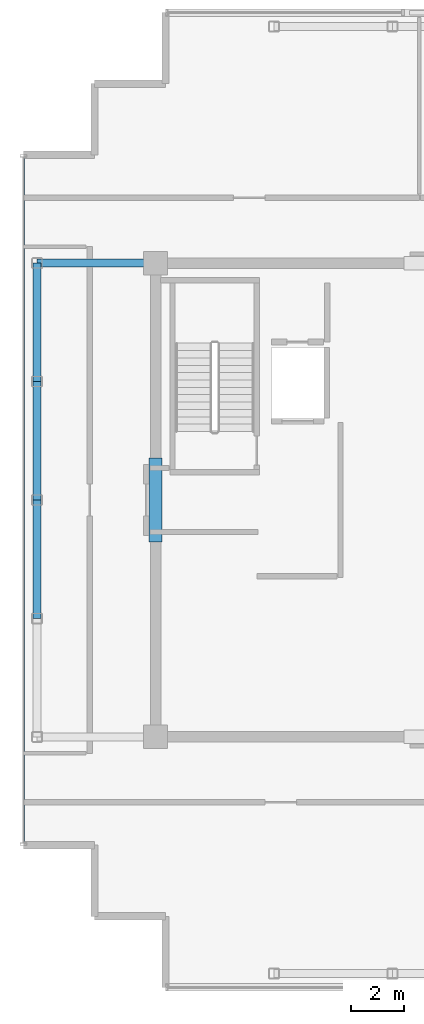
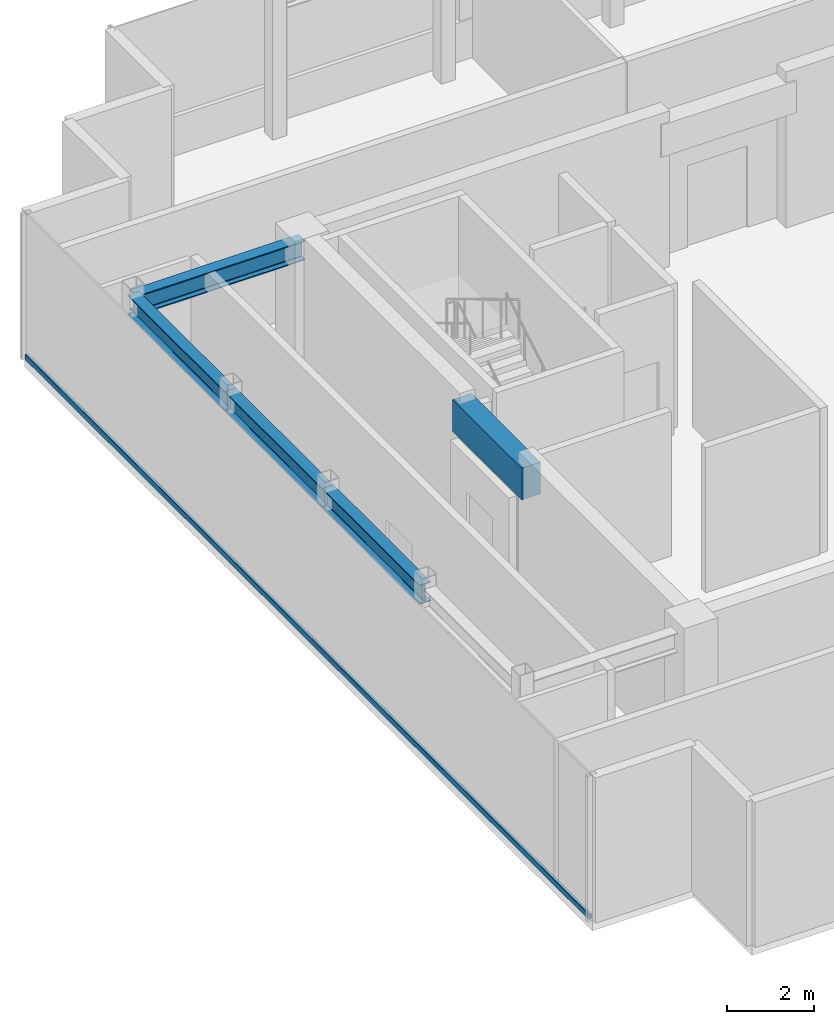
# One storey, part 4 of 14: 5 beams, 1 member, 1 element without a shape of its own.
"""IFC4 building model written with IfcOpenShell, lengths in metres."""

from ifc_helpers import new_model, si_unit, direction, frame, origin, origin_2d, place, context, subcontext, project, spatial, rectangle, hollow_rectangle, i_section, extrude, source, transform, mapped, material, layer, layer_set, material_profile, profile_set, type_object, element, aggregate, save


model = new_model("IFC4")

# Units and contexts
model_context = context("Model", 3, precision=1e-05, world=origin(), true_north=direction((0.0, 1.0)))
body_context = subcontext(model_context, "Body", "Model", "MODEL_VIEW")
ifc_project = project(units=[si_unit("LENGTHUNIT", "METRE"), si_unit("AREAUNIT", "SQUARE_METRE"), si_unit("VOLUMEUNIT", "CUBIC_METRE"), si_unit("PLANEANGLEUNIT", "RADIAN"), si_unit("MASSUNIT", "GRAM", prefix="KILO")], contexts=[model_context])

# Site, building, storey
site_placement = place(None, origin())
site = spatial("IfcSite", under=ifc_project, at=site_placement, CompositionType="ELEMENT")
building_placement = place(site_placement, origin())
building = spatial("IfcBuilding", under=site, at=building_placement, Name="Nefas-Gora Pilgrimage Tower", CompositionType="ELEMENT")
storey_placement = place(building_placement, frame((0.0, 0.0, 363.0)))
storey = spatial("IfcBuildingStorey", under=building, at=storey_placement, Name="L91", CompositionType="ELEMENT", Elevation=363.0)

# Beams
ifc_material_1 = material(Name="Concrete C50/60", Category="concrete")
ifc_material_profile_1 = material_profile(ifc_material_1, rectangle(XDim=0.5, YDim=0.89990234375, at=origin_2d()), Name="RC 500x900")
ifc_profile_set_1 = profile_set([ifc_material_profile_1], Name="Concrete C50/60")
beam_type_1 = type_object("IfcBeamType", Name="BM-LIN-RC900", PredefinedType="LINTEL", material=ifc_profile_set_1)
shared_shape_1 = source(origin(), body_context, "Body", "SweptSolid", [
    extrude(rectangle(XDim=0.5, YDim=0.89990234375, at=origin_2d()), origin(), (0.0, 0.0, 1.0), 3.2001953125),
])
beam_1_placement = place(storey_placement, frame((-11.25, -1.60009765625, 3.64990234375), z_axis=(0.0, 1.0, 0.0), x_axis=(-1.0, 0.0, 0.0)))
element("IfcBeam", 1, at=beam_1_placement, inside=storey, type_object=beam_type_1, Name="L91 Core Coupling Lintel Beam W", PredefinedType="LINTEL", context=body_context, shape_type="MappedRepresentation", body=[
    mapped(shared_shape_1, transform((0.0, 0.0, 0.0), x_axis=(1.0, 0.0, 0.0), y_axis=(0.0, 1.0, 0.0), z_axis=(0.0, 0.0, 1.0), scale=1.0)),
])
ifc_material_2 = material(Name="Steel S355", Category="steel")
ifc_material_profile_2 = material_profile(ifc_material_2, i_section(OverallWidth=0.300048828125, OverallDepth=0.550048828125, WebThickness=0.014892578125, FlangeThickness=0.029052734375, FilletRadius=0.027099609375, at=origin_2d()), Name="HEB 550")
ifc_profile_set_2 = profile_set([ifc_material_profile_2], Name="Steel S355")
beam_type_2 = type_object("IfcBeamType", Name="BM-SPN-HEB400", PredefinedType="SPANDREL", material=ifc_profile_set_2)
shared_shape_2 = source(origin(), body_context, "Body", "SweptSolid", [
    extrude(i_section(OverallWidth=0.300048828125, OverallDepth=0.550048828125, WebThickness=0.014892578125, FlangeThickness=0.029052734375, FilletRadius=0.027099609375, at=origin_2d()), origin(), (0.0, 0.0, 1.0), 4.5),
])
for number, where, z_axis, x_axis, name in (
    (2, (-15.75, -4.5, 3.824951171875), (0.0, 1.0, 0.0), (-1.0, 0.0, 0.0), "L91 SP-04 beam"),
    (3, (-15.75, 0.0, 3.824951171875), (0.0, 1.0, 0.0), (-1.0, 0.0, 0.0), "L91 SP-04 beam"),
    (4, (-15.75, 4.5, 3.824951171875), (0.0, 1.0, 0.0), (-1.0, 0.0, 0.0), "L91 SP-04 beam"),
):
    element("IfcBeam", number, at=place(storey_placement, frame(where, z_axis=z_axis, x_axis=x_axis)), inside=storey, type_object=beam_type_2, Name=name, PredefinedType="SPANDREL", context=body_context, shape_type="MappedRepresentation", body=[
        mapped(shared_shape_2, transform((0.0, 0.0, 0.0), x_axis=(1.0, 0.0, 0.0), y_axis=(0.0, 1.0, 0.0), z_axis=(0.0, 0.0, 1.0), scale=1.0)),
    ])
ifc_material_profile_3 = material_profile(ifc_material_2, i_section(OverallWidth=0.300048828125, OverallDepth=0.550048828125, WebThickness=0.014892578125, FlangeThickness=0.029052734375, FilletRadius=0.027099609375, at=origin_2d()), Name="HEB 550")
ifc_profile_set_3 = profile_set([ifc_material_profile_3], Name="Steel S355")
beam_type_3 = type_object("IfcBeamType", Name="BM-GIR-HEB550", PredefinedType="BEAM", material=ifc_profile_set_3)
shared_shape_3 = source(origin(), body_context, "Body", "SweptSolid", [
    extrude(i_section(OverallWidth=0.300048828125, OverallDepth=0.550048828125, WebThickness=0.014892578125, FlangeThickness=0.029052734375, FilletRadius=0.027099609375, at=origin_2d()), origin(), (0.0, 0.0, 1.0), 4.5),
])
beam_2_placement = place(storey_placement, frame((-15.75, 9.0, 3.824951171875), z_axis=(1.0, 0.0, 0.0), x_axis=(0.0, 1.0, 0.0)))
element("IfcBeam", 5, at=beam_2_placement, inside=storey, type_object=beam_type_3, Name="L91 G-05 beam", PredefinedType="BEAM", context=body_context, shape_type="MappedRepresentation", body=[
    mapped(shared_shape_3, transform((0.0, 0.0, 0.0), x_axis=(1.0, 0.0, 0.0), y_axis=(0.0, 1.0, 0.0), z_axis=(0.0, 0.0, 1.0), scale=1.0)),
])

# Curtain wall, member
ifc_material_3 = material(Name="Dark ceramic-fritted solar-control aluminium-glass curtain wall", Category="aluminium")
ifc_layer = layer(ifc_material_3, 0.219970703125)
ifc_layer_set = layer_set([ifc_layer], Name="Dark ceramic-fritted solar-control aluminium-glass curtain wall")
curtain_wall_type = type_object("IfcCurtainWallType", Name="CW-SYS-6", PredefinedType="NOTDEFINED", material=ifc_layer_set)
curtain_wall_placement = place(storey_placement, origin())
curtain_wall = element("IfcCurtainWall", 6, at=curtain_wall_placement, inside=storey, type_object=curtain_wall_type, Name="L91 Unitised Curtain Wall CW6", PredefinedType="NOTDEFINED")
ifc_material_4 = material(Name="Anodised architectural aluminium", Category="aluminium")
ifc_material_profile_4 = material_profile(ifc_material_4, hollow_rectangle(XDim=0.080078125, YDim=0.159912109375, WallThickness=0.00439453125, InnerFilletRadius=0.00439453125, OuterFilletRadius=0.009033203125, at=origin_2d()), Name="ALU TRANSOM 80x160")
ifc_profile_set_4 = profile_set([ifc_material_profile_4], Name="Anodised architectural aluminium")
member_type = type_object("IfcMemberType", Name="CWM-TRN-6", PredefinedType="USERDEFINED", material=ifc_profile_set_4)
shared_shape_4 = source(origin(), body_context, "Body", "SweptSolid", [
    extrude(hollow_rectangle(XDim=0.080078125, YDim=0.159912109375, WallThickness=0.00439453125, InnerFilletRadius=0.00439453125, OuterFilletRadius=0.009033203125, at=origin_2d()), origin(), (0.0, 0.0, 1.0), 26.06005859375),
])
member_placement = place(storey_placement, frame((-16.27001953125, 13.030029296875, 0.050048828125), z_axis=(0.0, -1.0, 0.0), x_axis=(1.0, 0.0, 0.0)))
member = element("IfcMember", 7, at=member_placement, type_object=member_type, Name="CW6 Spandrel Transom", ObjectType="TRANSOM", PredefinedType="USERDEFINED", context=body_context, shape_type="MappedRepresentation", body=[
    mapped(shared_shape_4, transform((0.0, 0.0, 0.0), x_axis=(1.0, 0.0, 0.0), y_axis=(0.0, 1.0, 0.0), z_axis=(0.0, 0.0, 1.0), scale=1.0)),
])
aggregate(curtain_wall, [member])

save(model, "model.ifc")
